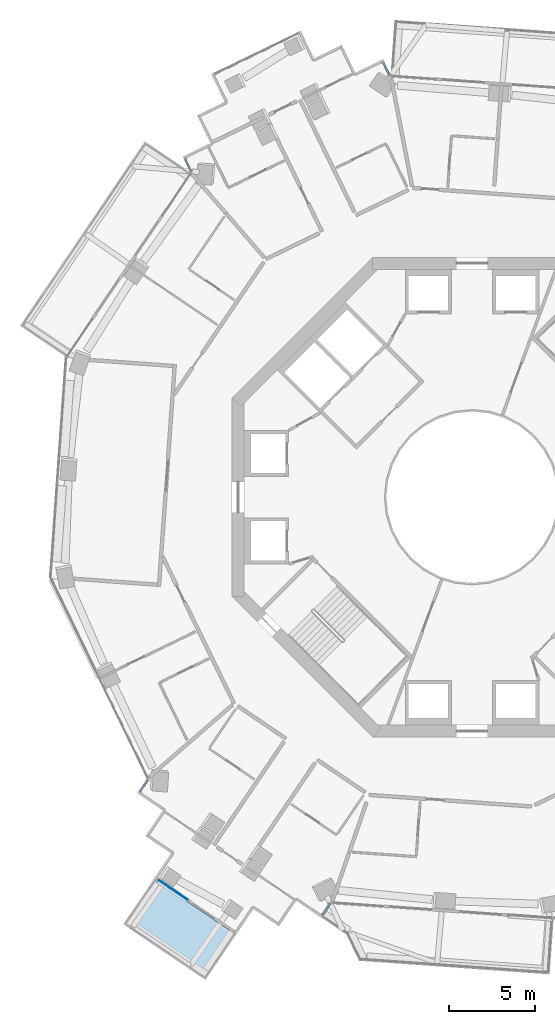
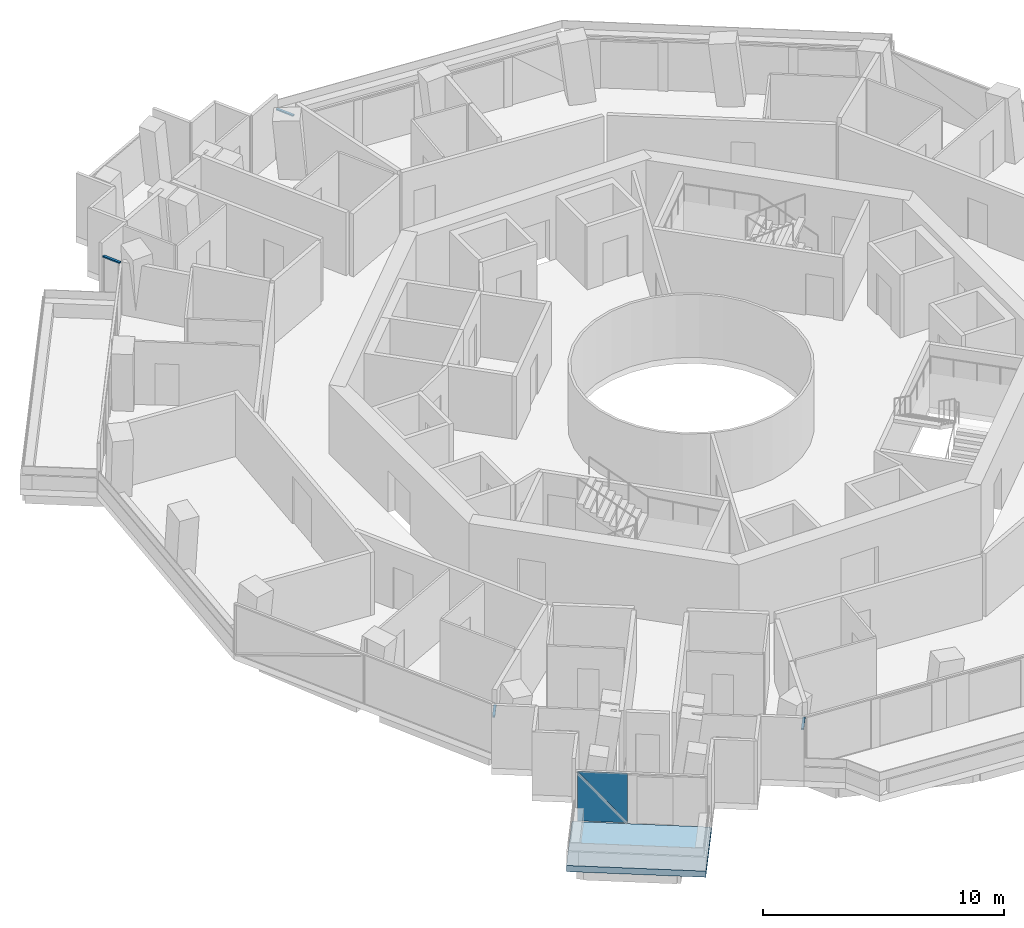
# One storey, part 9 of 22: 4 members, 2 plates, 1 slab, 5 elements without a shape of their own.
"""IFC4 building model written with IfcOpenShell, lengths in metres."""

from ifc_helpers import new_model, si_unit, direction, frame, origin, origin_2d, place, context, subcontext, project, spatial, polyline, rectangle, outline, extrude, material, layer, layer_set, material_profile, profile_set, type_object, element, aggregate, save


model = new_model("IFC4")

# Units and contexts
model_context = context("Model", 3, precision=1e-05, world=origin(), true_north=direction((0.0, 1.0)))
body_context = subcontext(model_context, "Body", "Model", "MODEL_VIEW")
ifc_project = project(units=[si_unit("LENGTHUNIT", "METRE"), si_unit("AREAUNIT", "SQUARE_METRE"), si_unit("VOLUMEUNIT", "CUBIC_METRE"), si_unit("PLANEANGLEUNIT", "RADIAN"), si_unit("MASSUNIT", "GRAM", prefix="KILO")], contexts=[model_context])

# Site, building, storey
site_placement = place(None, origin())
site = spatial("IfcSite", under=ifc_project, at=site_placement, CompositionType="ELEMENT")
building_placement = place(site_placement, origin())
building = spatial("IfcBuilding", under=site, at=building_placement, Name="Verdalira Terraces Hotel", CompositionType="ELEMENT")
storey_placement = place(building_placement, frame((0.0, 0.0, 140.0)))
storey = spatial("IfcBuildingStorey", under=building, at=storey_placement, Name="L33", CompositionType="ELEMENT", Elevation=140.0)

# Curtain wall, member
ifc_material_1 = material(Name="Clear glass", Category="glass")
ifc_layer_1 = layer(ifc_material_1, 0.14990234375)
ifc_layer_set_1 = layer_set([ifc_layer_1], Name="CW2 curtain wall")
curtain_wall_type_1 = type_object("IfcCurtainWallType", Name="CW2 curtain wall", PredefinedType="NOTDEFINED", material=ifc_layer_set_1)
curtain_wall_1_placement = place(storey_placement, origin())
curtain_wall_1 = element("IfcCurtainWall", 1, at=curtain_wall_1_placement, inside=storey, type_object=curtain_wall_type_1, Name="CW2 curtain wall L33 edge 0", PredefinedType="NOTDEFINED")
ifc_material_2 = material(Name="Terracotta frame", Category="masonry")
ifc_material_profile = material_profile(ifc_material_2, rectangle(XDim=0.11499, YDim=0.064941, at=origin_2d()), Name="TR 65x115")
ifc_profile_set = profile_set([ifc_material_profile], Name="Terracotta frame")
member_type = type_object("IfcMemberType", Name="CW2 transom 65x115", PredefinedType="USERDEFINED", material=ifc_profile_set)
member_1_placement = place(storey_placement, frame((-4.824951, 24.626465, 2.507568), z_axis=(-0.437076562, 0.899424304, 0.0), x_axis=(-0.899424304, -0.437076562, 0.0)))
member_1 = element("IfcMember", 2, at=member_1_placement, type_object=member_type, Name="CW2 transom", ObjectType="TRANSOM", PredefinedType="USERDEFINED", context=body_context, shape_type="SweptSolid", body=[
    extrude(rectangle(XDim=0.11499, YDim=0.064941, at=origin_2d()), origin(), (0.0, 0.0, 1.0), 0.850098),
])
aggregate(curtain_wall_1, [member_1])

curtain_wall_2_placement = place(storey_placement, origin())
curtain_wall_2 = element("IfcCurtainWall", 3, at=curtain_wall_2_placement, inside=storey, type_object=curtain_wall_type_1, Name="CW2 curtain wall L33 edge 10", PredefinedType="NOTDEFINED")
member_2_placement = place(storey_placement, frame((-16.753906, 19.77417, 2.507568), z_axis=(0.437076562, -0.899424304, 0.0), x_axis=(0.899424304, 0.437076562, 0.0)))
member_2 = element("IfcMember", 4, at=member_2_placement, type_object=member_type, Name="CW2 transom", ObjectType="TRANSOM", PredefinedType="USERDEFINED", context=body_context, shape_type="SweptSolid", body=[
    extrude(rectangle(XDim=0.11499, YDim=0.064941, at=origin_2d()), origin(), (0.0, 0.0, 1.0), 0.850098),
])
aggregate(curtain_wall_2, [member_2])

curtain_wall_3_placement = place(storey_placement, origin())
curtain_wall_3 = element("IfcCurtainWall", 5, at=curtain_wall_3_placement, inside=storey, type_object=curtain_wall_type_1, Name="CW2 curtain wall L33 edge 14", PredefinedType="NOTDEFINED")
member_3_placement = place(storey_placement, frame((-18.914795, -16.491943, 2.507568), z_axis=(-0.56045427, -0.828185372, 0.0), x_axis=(0.828185372, -0.56045427, 0.0)))
member_3 = element("IfcMember", 6, at=member_3_placement, type_object=member_type, Name="CW2 transom", ObjectType="TRANSOM", PredefinedType="USERDEFINED", context=body_context, shape_type="SweptSolid", body=[
    extrude(rectangle(XDim=0.11499, YDim=0.064941, at=origin_2d()), origin(), (0.0, 0.0, 1.0), 0.849854),
])
aggregate(curtain_wall_3, [member_3])

curtain_wall_4_placement = place(storey_placement, origin())
curtain_wall_4 = element("IfcCurtainWall", 7, at=curtain_wall_4_placement, inside=storey, type_object=curtain_wall_type_1, Name="CW2 curtain wall L33 edge 24", PredefinedType="NOTDEFINED")
member_4_placement = place(storey_placement, frame((-8.747803, -24.396484, 2.507568), z_axis=(0.560123882, 0.828408859, 0.0), x_axis=(-0.828408859, 0.560123882, 0.0)))
member_4 = element("IfcMember", 8, at=member_4_placement, type_object=member_type, Name="CW2 transom", ObjectType="TRANSOM", PredefinedType="USERDEFINED", context=body_context, shape_type="SweptSolid", body=[
    extrude(rectangle(XDim=0.11499, YDim=0.064941, at=origin_2d()), origin(), (0.0, 0.0, 1.0), 0.849854),
])
aggregate(curtain_wall_4, [member_4])

# Slab
ifc_material_3 = material(Name="Precast concrete C40/50", Category="concrete")
ifc_layer_2 = layer(ifc_material_3, 0.31005859375)
ifc_layer_set_2 = layer_set([ifc_layer_2], Name="Balcony deck 310")
slab_type = type_object("IfcSlabType", Name="Balcony deck 310", PredefinedType="FLOOR", material=ifc_layer_set_2)
slab_placement = place(storey_placement, frame((0.0, 0.0, -0.310059)))
element("IfcSlab", 9, at=slab_placement, inside=storey, type_object=slab_type, Name="Balcony deck", PredefinedType="FLOOR", context=body_context, shape_type="SweptSolid", body=[
    extrude(outline(polyline([(-15.562012, -28.17749), (-13.768799, -25.5271), (-18.572754, -22.2771), (-20.365723, -24.92749), (-15.562012, -28.17749)])), origin(), (0.0, 0.0, 1.0), 0.310059),
])

# Curtain wall, plates
ifc_material_4 = material(Name="Clear glass", Category="glass")
ifc_layer_3 = layer(ifc_material_4, 0.14990234375)
ifc_layer_set_3 = layer_set([ifc_layer_3], Name="CW3 curtain wall")
curtain_wall_type_2 = type_object("IfcCurtainWallType", Name="CW3 curtain wall", PredefinedType="NOTDEFINED", material=ifc_layer_set_3)
curtain_wall_5_placement = place(storey_placement, origin())
curtain_wall_5 = element("IfcCurtainWall", 10, at=curtain_wall_5_placement, inside=storey, type_object=curtain_wall_type_2, Name="CW3 curtain wall L33 edge 19", PredefinedType="NOTDEFINED")
ifc_material_5 = material(Name="Clear glass", Category="glass")
ifc_layer_4 = layer(ifc_material_5, 0.035888671875)
ifc_layer_set_4 = layer_set([ifc_layer_4], Name="CW3 glass unit 36")
plate_type = type_object("IfcPlateType", Name="CW3 glass unit 36", PredefinedType="CURTAIN_PANEL", material=ifc_layer_set_4)
plate_1_placement = place(storey_placement, frame((-17.46875, -22.911621, 1.237549), z_axis=(-0.560349913, -0.828255984, 0.0), x_axis=(0.828255984, -0.560349913, 0.0)))
plate_1 = element("IfcPlate", 11, at=plate_1_placement, type_object=plate_type, Name="CW3 glass unit", PredefinedType="CURTAIN_PANEL", context=body_context, shape_type="SweptSolid", body=[
    extrude(outline(polyline([(-1.040039, -1.237549), (1.040039, -1.237549), (-1.040039, 1.237549), (-1.040039, -1.237549)])), origin(), (0.0, 0.0, 1.0), 0.035889),
])
plate_2_placement = place(storey_placement, frame((-17.447998, -22.880859, 1.237549), z_axis=(-0.560349913, -0.828255984, 0.0), x_axis=(0.828255984, -0.560349913, 0.0)))
plate_2 = element("IfcPlate", 12, at=plate_2_placement, type_object=plate_type, Name="CW3 glass unit", PredefinedType="CURTAIN_PANEL", context=body_context, shape_type="SweptSolid", body=[
    extrude(outline(polyline([(1.040039, -1.237549), (1.040039, 1.237549), (-1.040039, 1.237549), (1.040039, -1.237549)])), origin(), (0.0, 0.0, 1.0), 0.035889),
])
aggregate(curtain_wall_5, [plate_1, plate_2])

save(model, "model.ifc")
